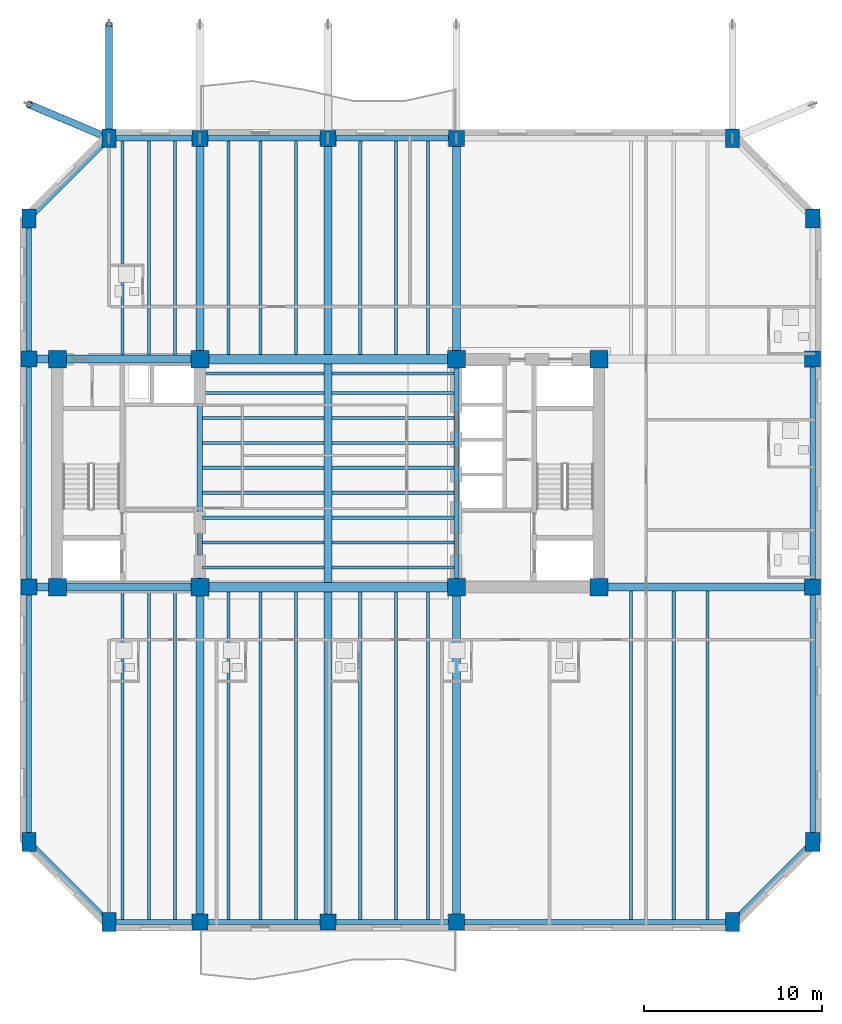
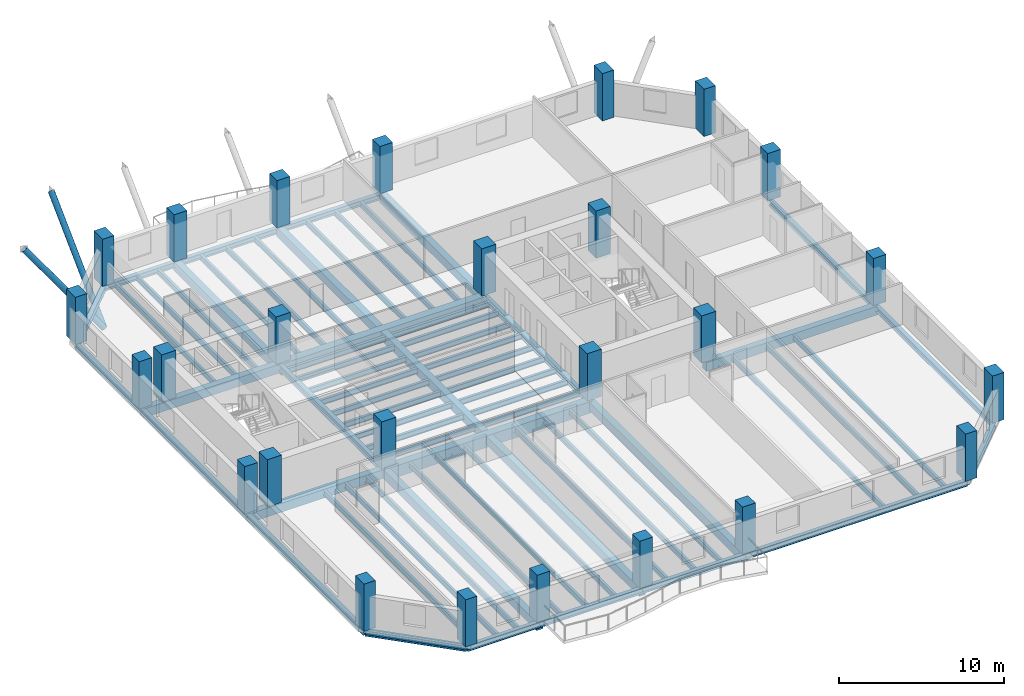
# One storey, part 1 of 12: 68 beams, 26 columns, 2 members.
"""IFC4 building model written with IfcOpenShell, lengths in metres."""

from ifc_helpers import new_model, si_unit, direction, frame, origin, origin_2d, place, context, subcontext, project, spatial, rectangle, hollow_circle, i_section, extrude, material, material_profile, profile_set, type_object, element, save


model = new_model("IFC4")

# Units and contexts
model_context = context("Model", 3, precision=1e-05, world=origin(), true_north=direction((0.0, 1.0)))
body_context = subcontext(model_context, "Body", "Model", "MODEL_VIEW")
ifc_project = project(units=[si_unit("LENGTHUNIT", "METRE"), si_unit("AREAUNIT", "SQUARE_METRE"), si_unit("VOLUMEUNIT", "CUBIC_METRE"), si_unit("PLANEANGLEUNIT", "RADIAN"), si_unit("MASSUNIT", "GRAM", prefix="KILO")], contexts=[model_context])

# Site, building, storey
site_placement = place(None, origin())
site = spatial("IfcSite", under=ifc_project, at=site_placement, CompositionType="ELEMENT")
building_placement = place(site_placement, origin())
building = spatial("IfcBuilding", under=site, at=building_placement, Name="Kranthara Brick Stack", CompositionType="ELEMENT")
storey_placement = place(building_placement, frame((0.0, 0.0, 158.800048828125)))
storey = spatial("IfcBuildingStorey", under=building, at=storey_placement, Name="L40", CompositionType="ELEMENT", Elevation=158.800048828125)

# Columns
ifc_material_1 = material(Name="Concrete C60/75", Category="concrete")
ifc_material_profile_1 = material_profile(ifc_material_1, rectangle(XDim=0.800048828125, YDim=1.050048828125, at=origin_2d()), Name="RC 800x1050")
ifc_profile_set_1 = profile_set([ifc_material_profile_1], Name="Concrete C60/75")
column_type_1 = type_object("IfcColumnType", Name="COL-CHAM-800x1050", PredefinedType="COLUMN", material=ifc_profile_set_1)
for number, where, z_axis, x_axis, name in (
    (1, (15.699951171875, 2.0, 0.0), (0.0, 0.0, 1.0), (1.0, 0.0, 0.0), "L40 Column 09"),
    (2, (15.699951171875, 46.0, 0.0), (0.0, 0.0, 1.0), (1.0, 0.0, 0.0), "L40 Column 10"),
    (3, (50.699951171875, 2.0, 0.0), (0.0, 0.0, 1.0), (1.0, 0.0, 0.0), "L40 Column 17"),
    (4, (50.699951171875, 46.0, 0.0), (0.0, 0.0, 1.0), (1.0, 0.0, 0.0), "L40 Column 18"),
    (5, (11.199951171875, 6.5, 0.0), (0.0, 0.0, 1.0), (1.0, 0.0, 0.0), "L40 Column 19"),
    (6, (55.199951171875, 6.5, 0.0), (0.0, 0.0, 1.0), (1.0, 0.0, 0.0), "L40 Column 20"),
    (7, (11.199951171875, 41.5, 0.0), (0.0, 0.0, 1.0), (1.0, 0.0, 0.0), "L40 Column 25"),
    (8, (55.199951171875, 41.5, 0.0), (0.0, 0.0, 1.0), (1.0, 0.0, 0.0), "L40 Column 26"),
):
    element("IfcColumn", number, at=place(storey_placement, frame(where, z_axis=z_axis, x_axis=x_axis)), inside=storey, type_object=column_type_1, Name=name, PredefinedType="COLUMN", context=body_context, shape_type="SweptSolid", body=[
        extrude(rectangle(XDim=0.800048828125, YDim=1.050048828125, at=origin_2d()), origin(), (0.0, 0.0, 1.0), 3.5),
    ])
ifc_material_2 = material(Name="Concrete C60/75", Category="concrete")
ifc_material_profile_2 = material_profile(ifc_material_2, rectangle(XDim=1.0, YDim=1.0, at=origin_2d()), Name="RC 1000x1000")
ifc_profile_set_2 = profile_set([ifc_material_profile_2], Name="Concrete C60/75")
column_type_2 = type_object("IfcColumnType", Name="COL-CORE-1000", PredefinedType="COLUMN", material=ifc_profile_set_2)
for number, where, z_axis, x_axis, name in (
    (9, (12.800048828125, 20.800048828125, 0.0), (0.0, 0.0, 1.0), (1.0, 0.0, 0.0), "L40 Column 01"),
    (10, (20.800048828125, 20.800048828125, 0.0), (0.0, 0.0, 1.0), (1.0, 0.0, 0.0), "L40 Column 02"),
    (11, (12.800048828125, 33.60009765625, 0.0), (0.0, 0.0, 1.0), (1.0, 0.0, 0.0), "L40 Column 03"),
    (12, (20.800048828125, 33.60009765625, 0.0), (0.0, 0.0, 1.0), (1.0, 0.0, 0.0), "L40 Column 04"),
    (13, (35.199951171875, 20.800048828125, 0.0), (0.0, 0.0, 1.0), (1.0, 0.0, 0.0), "L40 Column 05"),
    (14, (43.199951171875, 20.800048828125, 0.0), (0.0, 0.0, 1.0), (1.0, 0.0, 0.0), "L40 Column 06"),
    (15, (35.199951171875, 33.60009765625, 0.0), (0.0, 0.0, 1.0), (1.0, 0.0, 0.0), "L40 Column 07"),
    (16, (43.199951171875, 33.60009765625, 0.0), (0.0, 0.0, 1.0), (1.0, 0.0, 0.0), "L40 Column 08"),
):
    element("IfcColumn", number, at=place(storey_placement, frame(where, z_axis=z_axis, x_axis=x_axis)), inside=storey, type_object=column_type_2, Name=name, PredefinedType="COLUMN", context=body_context, shape_type="SweptSolid", body=[
        extrude(rectangle(XDim=1.0, YDim=1.0, at=origin_2d()), origin(), (0.0, 0.0, 1.0), 3.5),
    ])
ifc_material_3 = material(Name="Concrete C60/75", Category="concrete")
ifc_material_profile_3 = material_profile(ifc_material_3, rectangle(XDim=0.89990234375, YDim=0.89990234375, at=origin_2d()), Name="RC 900x900")
ifc_profile_set_3 = profile_set([ifc_material_profile_3], Name="Concrete C60/75")
column_type_3 = type_object("IfcColumnType", Name="COL-PER-900", PredefinedType="COLUMN", material=ifc_profile_set_3)
for number, where, z_axis, x_axis, name in (
    (17, (20.800048828125, 2.0, 0.0), (0.0, 0.0, 1.0), (1.0, 0.0, 0.0), "L40 Column 11"),
    (18, (20.800048828125, 46.0, 0.0), (0.0, 0.0, 1.0), (1.0, 0.0, 0.0), "L40 Column 12"),
    (19, (28.0, 2.0, 0.0), (0.0, 0.0, 1.0), (1.0, 0.0, 0.0), "L40 Column 13"),
    (20, (28.0, 46.0, 0.0), (0.0, 0.0, 1.0), (1.0, 0.0, 0.0), "L40 Column 14"),
    (21, (35.199951171875, 2.0, 0.0), (0.0, 0.0, 1.0), (1.0, 0.0, 0.0), "L40 Column 15"),
    (22, (35.199951171875, 46.0, 0.0), (0.0, 0.0, 1.0), (1.0, 0.0, 0.0), "L40 Column 16"),
    (23, (11.199951171875, 20.800048828125, 0.0), (0.0, 0.0, 1.0), (1.0, 0.0, 0.0), "L40 Column 21"),
    (24, (55.199951171875, 20.800048828125, 0.0), (0.0, 0.0, 1.0), (1.0, 0.0, 0.0), "L40 Column 22"),
    (25, (11.199951171875, 33.60009765625, 0.0), (0.0, 0.0, 1.0), (1.0, 0.0, 0.0), "L40 Column 23"),
    (26, (55.199951171875, 33.60009765625, 0.0), (0.0, 0.0, 1.0), (1.0, 0.0, 0.0), "L40 Column 24"),
):
    element("IfcColumn", number, at=place(storey_placement, frame(where, z_axis=z_axis, x_axis=x_axis)), inside=storey, type_object=column_type_3, Name=name, PredefinedType="COLUMN", context=body_context, shape_type="SweptSolid", body=[
        extrude(rectangle(XDim=0.89990234375, YDim=0.89990234375, at=origin_2d()), origin(), (0.0, 0.0, 1.0), 3.5),
    ])

# Beams
ifc_material_4 = material(Name="Concrete C50/60", Category="concrete")
ifc_material_profile_4 = material_profile(ifc_material_4, rectangle(XDim=0.550048828125, YDim=0.85009765625, at=origin_2d()), Name="RC 550x850")
ifc_profile_set_4 = profile_set([ifc_material_profile_4], Name="Concrete C50/60")
beam_type_1 = type_object("IfcBeamType", Name="BM-CPL-RC850", PredefinedType="LINTEL", material=ifc_profile_set_4)
for number, where, z_axis, x_axis, name in (
    (27, (20.800048828125, 20.800048828125, -0.72509765625), (1.0, 0.0, 0.0), (0.0, 1.0, 0.0), "L40 Core Coupling Beam 001"),
    (28, (20.800048828125, 33.60009765625, -0.72509765625), (1.0, 0.0, 0.0), (0.0, 1.0, 0.0), "L40 Core Coupling Beam 002"),
):
    element("IfcBeam", number, at=place(storey_placement, frame(where, z_axis=z_axis, x_axis=x_axis)), inside=storey, type_object=beam_type_1, Name=name, PredefinedType="LINTEL", context=body_context, shape_type="SweptSolid", body=[
        extrude(rectangle(XDim=0.550048828125, YDim=0.85009765625, at=origin_2d()), origin(), (0.0, 0.0, 1.0), 14.39990234375),
    ])
ifc_material_5 = material(Name="Post-tensioned concrete C45/55", Category="concrete")
ifc_material_profile_5 = material_profile(ifc_material_5, rectangle(XDim=0.449951171875, YDim=0.64990234375, at=origin_2d()), Name="PT 450x650")
ifc_profile_set_5 = profile_set([ifc_material_profile_5], Name="Post-tensioned concrete C45/55")
beam_type_2 = type_object("IfcBeamType", Name="BM-FLR-PT650", PredefinedType="BEAM", material=ifc_profile_set_5)
beam_1_placement = place(storey_placement, frame((20.800048828125, 2.0, -0.625), z_axis=(0.0, 1.0, 0.0), x_axis=(-1.0, 0.0, 0.0)))
element("IfcBeam", 29, at=beam_1_placement, inside=storey, type_object=beam_type_2, Name="L40 Primary Grid Girder 023", PredefinedType="BEAM", context=body_context, shape_type="SweptSolid", body=[
    extrude(rectangle(XDim=0.449951171875, YDim=0.64990234375, at=origin_2d()), origin(), (0.0, 0.0, 1.0), 18.800048828125),
])
beam_2_placement = place(storey_placement, frame((20.800048828125, 33.60009765625, -0.625), z_axis=(0.0, 1.0, 0.0), x_axis=(-1.0, 0.0, 0.0)))
element("IfcBeam", 30, at=beam_2_placement, inside=storey, type_object=beam_type_2, Name="L40 Primary Grid Girder 024", PredefinedType="BEAM", context=body_context, shape_type="SweptSolid", body=[
    extrude(rectangle(XDim=0.449951171875, YDim=0.64990234375, at=origin_2d()), origin(), (0.0, 0.0, 1.0), 12.39990234375),
])
beam_3_placement = place(storey_placement, frame((28.0, 2.0, -0.625), z_axis=(0.0, 1.0, 0.0), x_axis=(-1.0, 0.0, 0.0)))
element("IfcBeam", 31, at=beam_3_placement, inside=storey, type_object=beam_type_2, Name="L40 Primary Grid Girder 025", PredefinedType="BEAM", context=body_context, shape_type="SweptSolid", body=[
    extrude(rectangle(XDim=0.449951171875, YDim=0.64990234375, at=origin_2d()), origin(), (0.0, 0.0, 1.0), 18.52490234375),
])
beam_4_placement = place(storey_placement, frame((28.0, 21.074951171875, -0.625), z_axis=(0.0, 1.0, 0.0), x_axis=(-1.0, 0.0, 0.0)))
element("IfcBeam", 32, at=beam_4_placement, inside=storey, type_object=beam_type_2, Name="L40 Central Spine Girder 026", PredefinedType="BEAM", context=body_context, shape_type="SweptSolid", body=[
    extrude(rectangle(XDim=0.449951171875, YDim=0.64990234375, at=origin_2d()), origin(), (0.0, 0.0, 1.0), 12.25),
])
beam_5_placement = place(storey_placement, frame((28.0, 33.875, -0.625), z_axis=(0.0, 1.0, 0.0), x_axis=(-1.0, 0.0, 0.0)))
element("IfcBeam", 33, at=beam_5_placement, inside=storey, type_object=beam_type_2, Name="L40 Primary Grid Girder 027", PredefinedType="BEAM", context=body_context, shape_type="SweptSolid", body=[
    extrude(rectangle(XDim=0.449951171875, YDim=0.64990234375, at=origin_2d()), origin(), (0.0, 0.0, 1.0), 12.125),
])
beam_6_placement = place(storey_placement, frame((35.199951171875, 2.0, -0.625), z_axis=(0.0, 1.0, 0.0), x_axis=(-1.0, 0.0, 0.0)))
element("IfcBeam", 34, at=beam_6_placement, inside=storey, type_object=beam_type_2, Name="L40 Primary Grid Girder 028", PredefinedType="BEAM", context=body_context, shape_type="SweptSolid", body=[
    extrude(rectangle(XDim=0.449951171875, YDim=0.64990234375, at=origin_2d()), origin(), (0.0, 0.0, 1.0), 18.800048828125),
])
beam_7_placement = place(storey_placement, frame((35.199951171875, 33.60009765625, -0.625), z_axis=(0.0, 1.0, 0.0), x_axis=(-1.0, 0.0, 0.0)))
element("IfcBeam", 35, at=beam_7_placement, inside=storey, type_object=beam_type_2, Name="L40 Primary Grid Girder 029", PredefinedType="BEAM", context=body_context, shape_type="SweptSolid", body=[
    extrude(rectangle(XDim=0.449951171875, YDim=0.64990234375, at=origin_2d()), origin(), (0.0, 0.0, 1.0), 12.39990234375),
])
beam_8_placement = place(storey_placement, frame((11.199951171875, 20.800048828125, -0.625), z_axis=(1.0, 0.0, 0.0), x_axis=(0.0, 1.0, 0.0)))
element("IfcBeam", 36, at=beam_8_placement, inside=storey, type_object=beam_type_2, Name="L40 Primary Grid Girder 030", PredefinedType="BEAM", context=body_context, shape_type="SweptSolid", body=[
    extrude(rectangle(XDim=0.449951171875, YDim=0.64990234375, at=origin_2d()), origin(), (0.0, 0.0, 1.0), 9.60009765625),
])
beam_9_placement = place(storey_placement, frame((43.199951171875, 20.800048828125, -0.625), z_axis=(1.0, 0.0, 0.0), x_axis=(0.0, 1.0, 0.0)))
element("IfcBeam", 37, at=beam_9_placement, inside=storey, type_object=beam_type_2, Name="L40 Primary Grid Girder 031", PredefinedType="BEAM", context=body_context, shape_type="SweptSolid", body=[
    extrude(rectangle(XDim=0.449951171875, YDim=0.64990234375, at=origin_2d()), origin(), (0.0, 0.0, 1.0), 12.0),
])
beam_10_placement = place(storey_placement, frame((11.199951171875, 33.60009765625, -0.625), z_axis=(1.0, 0.0, 0.0), x_axis=(0.0, 1.0, 0.0)))
element("IfcBeam", 38, at=beam_10_placement, inside=storey, type_object=beam_type_2, Name="L40 Primary Grid Girder 032", PredefinedType="BEAM", context=body_context, shape_type="SweptSolid", body=[
    extrude(rectangle(XDim=0.449951171875, YDim=0.64990234375, at=origin_2d()), origin(), (0.0, 0.0, 1.0), 9.60009765625),
])
ifc_material_6 = material(Name="Steel S355", Category="steel")
ifc_material_profile_6 = material_profile(ifc_material_6, i_section(OverallWidth=0.179931640625, OverallDepth=0.39990234375, WebThickness=0.008544921875, FlangeThickness=0.013427734375, at=origin_2d()), Name="IPE 400")
ifc_profile_set_6 = profile_set([ifc_material_profile_6], Name="Steel S355")
beam_type_3 = type_object("IfcBeamType", Name="BM-JST-IPE400", PredefinedType="JOIST", material=ifc_profile_set_6)
for number, where, z_axis, x_axis, name in (
    (39, (20.949951171875, 21.89990234375, -0.5), (1.0, 0.0, 0.0), (0.0, 1.0, 0.0), "L40 Central Floor Joist 034"),
    (40, (28.22509765625, 21.89990234375, -0.5), (1.0, 0.0, 0.0), (0.0, 1.0, 0.0), "L40 Central Floor Joist 035"),
    (41, (20.949951171875, 23.300048828125, -0.5), (1.0, 0.0, 0.0), (0.0, 1.0, 0.0), "L40 Central Floor Joist 036"),
    (42, (28.22509765625, 23.300048828125, -0.5), (1.0, 0.0, 0.0), (0.0, 1.0, 0.0), "L40 Central Floor Joist 037"),
    (43, (20.949951171875, 24.699951171875, -0.5), (1.0, 0.0, 0.0), (0.0, 1.0, 0.0), "L40 Central Floor Joist 038"),
    (44, (28.22509765625, 24.699951171875, -0.5), (1.0, 0.0, 0.0), (0.0, 1.0, 0.0), "L40 Central Floor Joist 039"),
    (45, (20.949951171875, 26.10009765625, -0.5), (1.0, 0.0, 0.0), (0.0, 1.0, 0.0), "L40 Central Floor Joist 040"),
    (46, (28.22509765625, 26.10009765625, -0.5), (1.0, 0.0, 0.0), (0.0, 1.0, 0.0), "L40 Central Floor Joist 041"),
    (47, (20.949951171875, 27.5, -0.5), (1.0, 0.0, 0.0), (0.0, 1.0, 0.0), "L40 Central Floor Joist 042"),
    (48, (28.22509765625, 27.5, -0.5), (1.0, 0.0, 0.0), (0.0, 1.0, 0.0), "L40 Central Floor Joist 043"),
    (49, (20.949951171875, 28.89990234375, -0.5), (1.0, 0.0, 0.0), (0.0, 1.0, 0.0), "L40 Central Floor Joist 044"),
    (50, (28.22509765625, 28.89990234375, -0.5), (1.0, 0.0, 0.0), (0.0, 1.0, 0.0), "L40 Central Floor Joist 045"),
    (51, (20.949951171875, 30.300048828125, -0.5), (1.0, 0.0, 0.0), (0.0, 1.0, 0.0), "L40 Central Floor Joist 046"),
    (52, (28.22509765625, 30.300048828125, -0.5), (1.0, 0.0, 0.0), (0.0, 1.0, 0.0), "L40 Central Floor Joist 047"),
    (53, (20.949951171875, 31.699951171875, -0.5), (1.0, 0.0, 0.0), (0.0, 1.0, 0.0), "L40 Central Floor Joist 048"),
    (54, (28.22509765625, 31.699951171875, -0.5), (1.0, 0.0, 0.0), (0.0, 1.0, 0.0), "L40 Central Floor Joist 049"),
    (55, (20.949951171875, 32.800048828125, -0.5), (1.0, 0.0, 0.0), (0.0, 1.0, 0.0), "L40 Central Floor Joist 050"),
    (56, (28.22509765625, 32.800048828125, -0.5), (1.0, 0.0, 0.0), (0.0, 1.0, 0.0), "L40 Central Floor Joist 051"),
):
    element("IfcBeam", number, at=place(storey_placement, frame(where, z_axis=z_axis, x_axis=x_axis)), inside=storey, type_object=beam_type_3, Name=name, PredefinedType="JOIST", context=body_context, shape_type="SweptSolid", body=[
        extrude(i_section(OverallWidth=0.179931640625, OverallDepth=0.39990234375, WebThickness=0.008544921875, FlangeThickness=0.013427734375, at=origin_2d()), origin(), (0.0, 0.0, 1.0), 6.824951171875),
    ])
beam_11_placement = place(storey_placement, frame((16.449951171875, 2.14990234375, -0.5), z_axis=(0.0, 1.0, 0.0), x_axis=(-1.0, 0.0, 0.0)))
element("IfcBeam", 57, at=beam_11_placement, inside=storey, type_object=beam_type_3, Name="L40 South Wing Floor Joist 052", PredefinedType="JOIST", context=body_context, shape_type="SweptSolid", body=[
    extrude(i_section(OverallWidth=0.179931640625, OverallDepth=0.39990234375, WebThickness=0.008544921875, FlangeThickness=0.013427734375, at=origin_2d()), origin(), (0.0, 0.0, 1.0), 18.425048828125),
])
beam_12_placement = place(storey_placement, frame((16.449951171875, 33.824951171875, -0.5), z_axis=(0.0, 1.0, 0.0), x_axis=(-1.0, 0.0, 0.0)))
element("IfcBeam", 58, at=beam_12_placement, inside=storey, type_object=beam_type_3, Name="L40 North Wing Floor Joist 053", PredefinedType="JOIST", context=body_context, shape_type="SweptSolid", body=[
    extrude(i_section(OverallWidth=0.179931640625, OverallDepth=0.39990234375, WebThickness=0.008544921875, FlangeThickness=0.013427734375, at=origin_2d()), origin(), (0.0, 0.0, 1.0), 12.025146484375),
])
beam_13_placement = place(storey_placement, frame((17.949951171875, 2.14990234375, -0.5), z_axis=(0.0, 1.0, 0.0), x_axis=(-1.0, 0.0, 0.0)))
element("IfcBeam", 59, at=beam_13_placement, inside=storey, type_object=beam_type_3, Name="L40 South Wing Floor Joist 054", PredefinedType="JOIST", context=body_context, shape_type="SweptSolid", body=[
    extrude(i_section(OverallWidth=0.179931640625, OverallDepth=0.39990234375, WebThickness=0.008544921875, FlangeThickness=0.013427734375, at=origin_2d()), origin(), (0.0, 0.0, 1.0), 18.425048828125),
])
beam_14_placement = place(storey_placement, frame((17.949951171875, 33.824951171875, -0.5), z_axis=(0.0, 1.0, 0.0), x_axis=(-1.0, 0.0, 0.0)))
element("IfcBeam", 60, at=beam_14_placement, inside=storey, type_object=beam_type_3, Name="L40 North Wing Floor Joist 055", PredefinedType="JOIST", context=body_context, shape_type="SweptSolid", body=[
    extrude(i_section(OverallWidth=0.179931640625, OverallDepth=0.39990234375, WebThickness=0.008544921875, FlangeThickness=0.013427734375, at=origin_2d()), origin(), (0.0, 0.0, 1.0), 12.025146484375),
])
beam_15_placement = place(storey_placement, frame((19.39990234375, 2.14990234375, -0.5), z_axis=(0.0, 1.0, 0.0), x_axis=(-1.0, 0.0, 0.0)))
element("IfcBeam", 61, at=beam_15_placement, inside=storey, type_object=beam_type_3, Name="L40 South Wing Floor Joist 056", PredefinedType="JOIST", context=body_context, shape_type="SweptSolid", body=[
    extrude(i_section(OverallWidth=0.179931640625, OverallDepth=0.39990234375, WebThickness=0.008544921875, FlangeThickness=0.013427734375, at=origin_2d()), origin(), (0.0, 0.0, 1.0), 18.425048828125),
])
beam_16_placement = place(storey_placement, frame((19.39990234375, 33.824951171875, -0.5), z_axis=(0.0, 1.0, 0.0), x_axis=(-1.0, 0.0, 0.0)))
element("IfcBeam", 62, at=beam_16_placement, inside=storey, type_object=beam_type_3, Name="L40 North Wing Floor Joist 057", PredefinedType="JOIST", context=body_context, shape_type="SweptSolid", body=[
    extrude(i_section(OverallWidth=0.179931640625, OverallDepth=0.39990234375, WebThickness=0.008544921875, FlangeThickness=0.013427734375, at=origin_2d()), origin(), (0.0, 0.0, 1.0), 12.025146484375),
])
beam_17_placement = place(storey_placement, frame((22.39990234375, 2.14990234375, -0.5), z_axis=(0.0, 1.0, 0.0), x_axis=(-1.0, 0.0, 0.0)))
element("IfcBeam", 63, at=beam_17_placement, inside=storey, type_object=beam_type_3, Name="L40 South Wing Floor Joist 058", PredefinedType="JOIST", context=body_context, shape_type="SweptSolid", body=[
    extrude(i_section(OverallWidth=0.179931640625, OverallDepth=0.39990234375, WebThickness=0.008544921875, FlangeThickness=0.013427734375, at=origin_2d()), origin(), (0.0, 0.0, 1.0), 18.375),
])
beam_18_placement = place(storey_placement, frame((22.39990234375, 33.875, -0.5), z_axis=(0.0, 1.0, 0.0), x_axis=(-1.0, 0.0, 0.0)))
element("IfcBeam", 64, at=beam_18_placement, inside=storey, type_object=beam_type_3, Name="L40 North Wing Floor Joist 059", PredefinedType="JOIST", context=body_context, shape_type="SweptSolid", body=[
    extrude(i_section(OverallWidth=0.179931640625, OverallDepth=0.39990234375, WebThickness=0.008544921875, FlangeThickness=0.013427734375, at=origin_2d()), origin(), (0.0, 0.0, 1.0), 11.97509765625),
])
beam_19_placement = place(storey_placement, frame((24.199951171875, 2.14990234375, -0.5), z_axis=(0.0, 1.0, 0.0), x_axis=(-1.0, 0.0, 0.0)))
element("IfcBeam", 65, at=beam_19_placement, inside=storey, type_object=beam_type_3, Name="L40 South Wing Floor Joist 060", PredefinedType="JOIST", context=body_context, shape_type="SweptSolid", body=[
    extrude(i_section(OverallWidth=0.179931640625, OverallDepth=0.39990234375, WebThickness=0.008544921875, FlangeThickness=0.013427734375, at=origin_2d()), origin(), (0.0, 0.0, 1.0), 18.375),
])
beam_20_placement = place(storey_placement, frame((24.199951171875, 33.875, -0.5), z_axis=(0.0, 1.0, 0.0), x_axis=(-1.0, 0.0, 0.0)))
element("IfcBeam", 66, at=beam_20_placement, inside=storey, type_object=beam_type_3, Name="L40 North Wing Floor Joist 061", PredefinedType="JOIST", context=body_context, shape_type="SweptSolid", body=[
    extrude(i_section(OverallWidth=0.179931640625, OverallDepth=0.39990234375, WebThickness=0.008544921875, FlangeThickness=0.013427734375, at=origin_2d()), origin(), (0.0, 0.0, 1.0), 11.97509765625),
])
beam_21_placement = place(storey_placement, frame((26.199951171875, 2.14990234375, -0.5), z_axis=(0.0, 1.0, 0.0), x_axis=(-1.0, 0.0, 0.0)))
element("IfcBeam", 67, at=beam_21_placement, inside=storey, type_object=beam_type_3, Name="L40 South Wing Floor Joist 062", PredefinedType="JOIST", context=body_context, shape_type="SweptSolid", body=[
    extrude(i_section(OverallWidth=0.179931640625, OverallDepth=0.39990234375, WebThickness=0.008544921875, FlangeThickness=0.013427734375, at=origin_2d()), origin(), (0.0, 0.0, 1.0), 18.375),
])
beam_22_placement = place(storey_placement, frame((26.199951171875, 33.875, -0.5), z_axis=(0.0, 1.0, 0.0), x_axis=(-1.0, 0.0, 0.0)))
element("IfcBeam", 68, at=beam_22_placement, inside=storey, type_object=beam_type_3, Name="L40 North Wing Floor Joist 063", PredefinedType="JOIST", context=body_context, shape_type="SweptSolid", body=[
    extrude(i_section(OverallWidth=0.179931640625, OverallDepth=0.39990234375, WebThickness=0.008544921875, FlangeThickness=0.013427734375, at=origin_2d()), origin(), (0.0, 0.0, 1.0), 11.97509765625),
])
beam_23_placement = place(storey_placement, frame((29.800048828125, 2.14990234375, -0.5), z_axis=(0.0, 1.0, 0.0), x_axis=(-1.0, 0.0, 0.0)))
element("IfcBeam", 69, at=beam_23_placement, inside=storey, type_object=beam_type_3, Name="L40 South Wing Floor Joist 064", PredefinedType="JOIST", context=body_context, shape_type="SweptSolid", body=[
    extrude(i_section(OverallWidth=0.179931640625, OverallDepth=0.39990234375, WebThickness=0.008544921875, FlangeThickness=0.013427734375, at=origin_2d()), origin(), (0.0, 0.0, 1.0), 18.375),
])
beam_24_placement = place(storey_placement, frame((29.800048828125, 33.875, -0.5), z_axis=(0.0, 1.0, 0.0), x_axis=(-1.0, 0.0, 0.0)))
element("IfcBeam", 70, at=beam_24_placement, inside=storey, type_object=beam_type_3, Name="L40 North Wing Floor Joist 065", PredefinedType="JOIST", context=body_context, shape_type="SweptSolid", body=[
    extrude(i_section(OverallWidth=0.179931640625, OverallDepth=0.39990234375, WebThickness=0.008544921875, FlangeThickness=0.013427734375, at=origin_2d()), origin(), (0.0, 0.0, 1.0), 11.97509765625),
])
beam_25_placement = place(storey_placement, frame((31.800048828125, 2.14990234375, -0.5), z_axis=(0.0, 1.0, 0.0), x_axis=(-1.0, 0.0, 0.0)))
element("IfcBeam", 71, at=beam_25_placement, inside=storey, type_object=beam_type_3, Name="L40 South Wing Floor Joist 066", PredefinedType="JOIST", context=body_context, shape_type="SweptSolid", body=[
    extrude(i_section(OverallWidth=0.179931640625, OverallDepth=0.39990234375, WebThickness=0.008544921875, FlangeThickness=0.013427734375, at=origin_2d()), origin(), (0.0, 0.0, 1.0), 18.375),
])
beam_26_placement = place(storey_placement, frame((31.800048828125, 33.875, -0.5), z_axis=(0.0, 1.0, 0.0), x_axis=(-1.0, 0.0, 0.0)))
element("IfcBeam", 72, at=beam_26_placement, inside=storey, type_object=beam_type_3, Name="L40 North Wing Floor Joist 067", PredefinedType="JOIST", context=body_context, shape_type="SweptSolid", body=[
    extrude(i_section(OverallWidth=0.179931640625, OverallDepth=0.39990234375, WebThickness=0.008544921875, FlangeThickness=0.013427734375, at=origin_2d()), origin(), (0.0, 0.0, 1.0), 11.97509765625),
])
beam_27_placement = place(storey_placement, frame((33.60009765625, 2.14990234375, -0.5), z_axis=(0.0, 1.0, 0.0), x_axis=(-1.0, 0.0, 0.0)))
element("IfcBeam", 73, at=beam_27_placement, inside=storey, type_object=beam_type_3, Name="L40 South Wing Floor Joist 068", PredefinedType="JOIST", context=body_context, shape_type="SweptSolid", body=[
    extrude(i_section(OverallWidth=0.179931640625, OverallDepth=0.39990234375, WebThickness=0.008544921875, FlangeThickness=0.013427734375, at=origin_2d()), origin(), (0.0, 0.0, 1.0), 18.375),
])
beam_28_placement = place(storey_placement, frame((33.60009765625, 33.875, -0.5), z_axis=(0.0, 1.0, 0.0), x_axis=(-1.0, 0.0, 0.0)))
element("IfcBeam", 74, at=beam_28_placement, inside=storey, type_object=beam_type_3, Name="L40 North Wing Floor Joist 069", PredefinedType="JOIST", context=body_context, shape_type="SweptSolid", body=[
    extrude(i_section(OverallWidth=0.179931640625, OverallDepth=0.39990234375, WebThickness=0.008544921875, FlangeThickness=0.013427734375, at=origin_2d()), origin(), (0.0, 0.0, 1.0), 11.97509765625),
])
for number, where, z_axis, x_axis, name in (
    (75, (45.0, 2.14990234375, -0.5), (0.0, 1.0, 0.0), (-1.0, 0.0, 0.0), "L40 South Wing Floor Joist 070"),
    (76, (47.39990234375, 2.14990234375, -0.5), (0.0, 1.0, 0.0), (-1.0, 0.0, 0.0), "L40 South Wing Floor Joist 072"),
    (77, (49.300048828125, 2.14990234375, -0.5), (0.0, 1.0, 0.0), (-1.0, 0.0, 0.0), "L40 South Wing Floor Joist 074"),
):
    element("IfcBeam", number, at=place(storey_placement, frame(where, z_axis=z_axis, x_axis=x_axis)), inside=storey, type_object=beam_type_3, Name=name, PredefinedType="JOIST", context=body_context, shape_type="SweptSolid", body=[
        extrude(i_section(OverallWidth=0.179931640625, OverallDepth=0.39990234375, WebThickness=0.008544921875, FlangeThickness=0.013427734375, at=origin_2d()), origin(), (0.0, 0.0, 1.0), 18.425048828125),
    ])
ifc_material_7 = material(Name="Steel S355", Category="steel")
ifc_material_profile_7 = material_profile(ifc_material_7, i_section(OverallWidth=0.300048828125, OverallDepth=0.39990234375, WebThickness=0.013427734375, FlangeThickness=0.02392578125, at=origin_2d()), Name="HEB 400")
ifc_profile_set_7 = profile_set([ifc_material_profile_7], Name="Steel S355")
beam_type_4 = type_object("IfcBeamType", Name="BM-STL-HEB400", PredefinedType="SPANDREL", material=ifc_profile_set_7)
beam_29_placement = place(storey_placement, frame((15.699951171875, 2.0, -0.5), z_axis=(1.0, 0.0, 0.0), x_axis=(0.0, 1.0, 0.0)))
element("IfcBeam", 78, at=beam_29_placement, inside=storey, type_object=beam_type_4, Name="L40 Perimeter Spandrel Beam 005", PredefinedType="SPANDREL", context=body_context, shape_type="SweptSolid", body=[
    extrude(i_section(OverallWidth=0.300048828125, OverallDepth=0.39990234375, WebThickness=0.013427734375, FlangeThickness=0.02392578125, at=origin_2d()), origin(), (0.0, 0.0, 1.0), 5.10009765625),
])
for number, where, z_axis, x_axis, name in (
    (79, (20.800048828125, 2.0, -0.5), (1.0, 0.0, 0.0), (0.0, 1.0, 0.0), "L40 Perimeter Spandrel Beam 006"),
    (80, (28.0, 2.0, -0.5), (1.0, 0.0, 0.0), (0.0, 1.0, 0.0), "L40 Perimeter Spandrel Beam 007"),
):
    element("IfcBeam", number, at=place(storey_placement, frame(where, z_axis=z_axis, x_axis=x_axis)), inside=storey, type_object=beam_type_4, Name=name, PredefinedType="SPANDREL", context=body_context, shape_type="SweptSolid", body=[
        extrude(i_section(OverallWidth=0.300048828125, OverallDepth=0.39990234375, WebThickness=0.013427734375, FlangeThickness=0.02392578125, at=origin_2d()), origin(), (0.0, 0.0, 1.0), 7.199951171875),
    ])
beam_30_placement = place(storey_placement, frame((35.199951171875, 2.0, -0.5), z_axis=(1.0, 0.0, 0.0), x_axis=(0.0, 1.0, 0.0)))
element("IfcBeam", 81, at=beam_30_placement, inside=storey, type_object=beam_type_4, Name="L40 Perimeter Spandrel Beam 008", PredefinedType="SPANDREL", context=body_context, shape_type="SweptSolid", body=[
    extrude(i_section(OverallWidth=0.300048828125, OverallDepth=0.39990234375, WebThickness=0.013427734375, FlangeThickness=0.02392578125, at=origin_2d()), origin(), (0.0, 0.0, 1.0), 15.5),
])
beam_31_placement = place(storey_placement, frame((15.699951171875, 46.0, -0.5), z_axis=(1.0, 0.0, 0.0), x_axis=(0.0, 1.0, 0.0)))
element("IfcBeam", 82, at=beam_31_placement, inside=storey, type_object=beam_type_4, Name="L40 Perimeter Spandrel Beam 009", PredefinedType="SPANDREL", context=body_context, shape_type="SweptSolid", body=[
    extrude(i_section(OverallWidth=0.300048828125, OverallDepth=0.39990234375, WebThickness=0.013427734375, FlangeThickness=0.02392578125, at=origin_2d()), origin(), (0.0, 0.0, 1.0), 5.10009765625),
])
for number, where, z_axis, x_axis, name in (
    (83, (20.800048828125, 46.0, -0.5), (1.0, 0.0, 0.0), (0.0, 1.0, 0.0), "L40 Perimeter Spandrel Beam 010"),
    (84, (28.0, 46.0, -0.5), (1.0, 0.0, 0.0), (0.0, 1.0, 0.0), "L40 Perimeter Spandrel Beam 011"),
):
    element("IfcBeam", number, at=place(storey_placement, frame(where, z_axis=z_axis, x_axis=x_axis)), inside=storey, type_object=beam_type_4, Name=name, PredefinedType="SPANDREL", context=body_context, shape_type="SweptSolid", body=[
        extrude(i_section(OverallWidth=0.300048828125, OverallDepth=0.39990234375, WebThickness=0.013427734375, FlangeThickness=0.02392578125, at=origin_2d()), origin(), (0.0, 0.0, 1.0), 7.199951171875),
    ])
beam_32_placement = place(storey_placement, frame((11.199951171875, 6.5, -0.5), z_axis=(0.0, 1.0, 0.0), x_axis=(-1.0, 0.0, 0.0)))
element("IfcBeam", 85, at=beam_32_placement, inside=storey, type_object=beam_type_4, Name="L40 Perimeter Spandrel Beam 013", PredefinedType="SPANDREL", context=body_context, shape_type="SweptSolid", body=[
    extrude(i_section(OverallWidth=0.300048828125, OverallDepth=0.39990234375, WebThickness=0.013427734375, FlangeThickness=0.02392578125, at=origin_2d()), origin(), (0.0, 0.0, 1.0), 14.300048828125),
])
beam_33_placement = place(storey_placement, frame((11.199951171875, 20.800048828125, -0.5), z_axis=(0.0, 1.0, 0.0), x_axis=(-1.0, 0.0, 0.0)))
element("IfcBeam", 86, at=beam_33_placement, inside=storey, type_object=beam_type_4, Name="L40 Perimeter Spandrel Beam 014", PredefinedType="SPANDREL", context=body_context, shape_type="SweptSolid", body=[
    extrude(i_section(OverallWidth=0.300048828125, OverallDepth=0.39990234375, WebThickness=0.013427734375, FlangeThickness=0.02392578125, at=origin_2d()), origin(), (0.0, 0.0, 1.0), 12.800048828125),
])
beam_34_placement = place(storey_placement, frame((11.199951171875, 33.60009765625, -0.5), z_axis=(0.0, 1.0, 0.0), x_axis=(-1.0, 0.0, 0.0)))
element("IfcBeam", 87, at=beam_34_placement, inside=storey, type_object=beam_type_4, Name="L40 Perimeter Spandrel Beam 015", PredefinedType="SPANDREL", context=body_context, shape_type="SweptSolid", body=[
    extrude(i_section(OverallWidth=0.300048828125, OverallDepth=0.39990234375, WebThickness=0.013427734375, FlangeThickness=0.02392578125, at=origin_2d()), origin(), (0.0, 0.0, 1.0), 7.89990234375),
])
beam_35_placement = place(storey_placement, frame((55.199951171875, 6.5, -0.5), z_axis=(0.0, 1.0, 0.0), x_axis=(-1.0, 0.0, 0.0)))
element("IfcBeam", 88, at=beam_35_placement, inside=storey, type_object=beam_type_4, Name="L40 Perimeter Spandrel Beam 016", PredefinedType="SPANDREL", context=body_context, shape_type="SweptSolid", body=[
    extrude(i_section(OverallWidth=0.300048828125, OverallDepth=0.39990234375, WebThickness=0.013427734375, FlangeThickness=0.02392578125, at=origin_2d()), origin(), (0.0, 0.0, 1.0), 14.300048828125),
])
beam_36_placement = place(storey_placement, frame((55.199951171875, 20.800048828125, -0.5), z_axis=(0.0, 1.0, 0.0), x_axis=(-1.0, 0.0, 0.0)))
element("IfcBeam", 89, at=beam_36_placement, inside=storey, type_object=beam_type_4, Name="L40 Perimeter Spandrel Beam 017", PredefinedType="SPANDREL", context=body_context, shape_type="SweptSolid", body=[
    extrude(i_section(OverallWidth=0.300048828125, OverallDepth=0.39990234375, WebThickness=0.013427734375, FlangeThickness=0.02392578125, at=origin_2d()), origin(), (0.0, 0.0, 1.0), 12.800048828125),
])
for number, where, z_axis, x_axis, name in (
    (90, (15.699951171875, 2.0, -0.5), (-0.707106781187, 0.707106781187, 0.0), (-0.707106781187, -0.707106781187, 0.0), "L40 Chamfer Corner Spandrel 019"),
    (91, (50.699951171875, 2.0, -0.5), (0.707106781187, 0.707106781187, 0.0), (-0.707106781187, 0.707106781187, 0.0), "L40 Chamfer Corner Spandrel 020"),
    (92, (15.699951171875, 46.0, -0.5), (-0.707106781187, -0.707106781187, 0.0), (0.707106781187, -0.707106781187, 0.0), "L40 Chamfer Corner Spandrel 021"),
):
    element("IfcBeam", number, at=place(storey_placement, frame(where, z_axis=z_axis, x_axis=x_axis)), inside=storey, type_object=beam_type_4, Name=name, PredefinedType="SPANDREL", context=body_context, shape_type="SweptSolid", body=[
        extrude(i_section(OverallWidth=0.300048828125, OverallDepth=0.39990234375, WebThickness=0.013427734375, FlangeThickness=0.02392578125, at=origin_2d()), origin(), (0.0, 0.0, 1.0), 6.364013671875),
    ])
ifc_material_8 = material(Name="Steel S355", Category="steel")
ifc_material_profile_8 = material_profile(ifc_material_8, i_section(OverallWidth=0.300048828125, OverallDepth=0.449951171875, WebThickness=0.013916015625, FlangeThickness=0.02587890625, at=origin_2d()), Name="HEB 450")
ifc_profile_set_8 = profile_set([ifc_material_profile_8], Name="Steel S355")
beam_type_5 = type_object("IfcBeamType", Name="BM-STL-HEB450", PredefinedType="SPANDREL", material=ifc_profile_set_8)
for number, where, z_axis, x_axis, name in (
    (93, (20.800048828125, 20.800048828125, -0.525146484375), (0.0, 1.0, 0.0), (-1.0, 0.0, 0.0), "L40 Core Edge Tie Beam 003"),
    (94, (35.199951171875, 20.800048828125, -0.525146484375), (0.0, 1.0, 0.0), (-1.0, 0.0, 0.0), "L40 Core Edge Tie Beam 004"),
):
    element("IfcBeam", number, at=place(storey_placement, frame(where, z_axis=z_axis, x_axis=x_axis)), inside=storey, type_object=beam_type_5, Name=name, PredefinedType="SPANDREL", context=body_context, shape_type="SweptSolid", body=[
        extrude(i_section(OverallWidth=0.300048828125, OverallDepth=0.449951171875, WebThickness=0.013916015625, FlangeThickness=0.02587890625, at=origin_2d()), origin(), (0.0, 0.0, 1.0), 12.800048828125),
    ])

# Members
ifc_material_9 = material(Name="Steel S460", Category="steel")
ifc_material_profile_9 = material_profile(ifc_material_9, hollow_circle(Radius=0.203125, WallThickness=0.02001953125, at=origin_2d()), Name="CHS 406.4x20")
ifc_profile_set_9 = profile_set([ifc_material_profile_9], Name="Steel S460")
member_type = type_object("IfcMemberType", Name="MB-STR-CHS406", PredefinedType="STRUT", material=ifc_profile_set_9)
member_1_placement = place(storey_placement, frame((15.699951171875, 46.0, -3.5), z_axis=(0.0, 0.715435821946, 0.698678455856), x_axis=(-1.0, 0.0, 0.0)))
element("IfcMember", 95, at=member_1_placement, inside=storey, type_object=member_type, Name="L41 Jenga Raked Transfer Strut 33", PredefinedType="STRUT", context=body_context, shape_type="SweptSolid", body=[
    extrude(hollow_circle(Radius=0.203125, WallThickness=0.02001953125, at=origin_2d()), origin(), (0.0, 0.0, 1.0), 8.945556640625),
])
member_2_placement = place(storey_placement, frame((15.699951171875, 46.0, -3.5), z_axis=(-0.567297421614, 0.239513266873, 0.787913085576), x_axis=(-0.388955069282, -0.921256725392, 0.0)))
element("IfcMember", 96, at=member_2_placement, inside=storey, type_object=member_type, Name="L41 Jenga Raked Transfer Strut 38", PredefinedType="STRUT", context=body_context, shape_type="SweptSolid", body=[
    extrude(hollow_circle(Radius=0.203125, WallThickness=0.02001953125, at=origin_2d()), origin(), (0.0, 0.0, 1.0), 7.932373046875),
])

save(model, "model.ifc")
